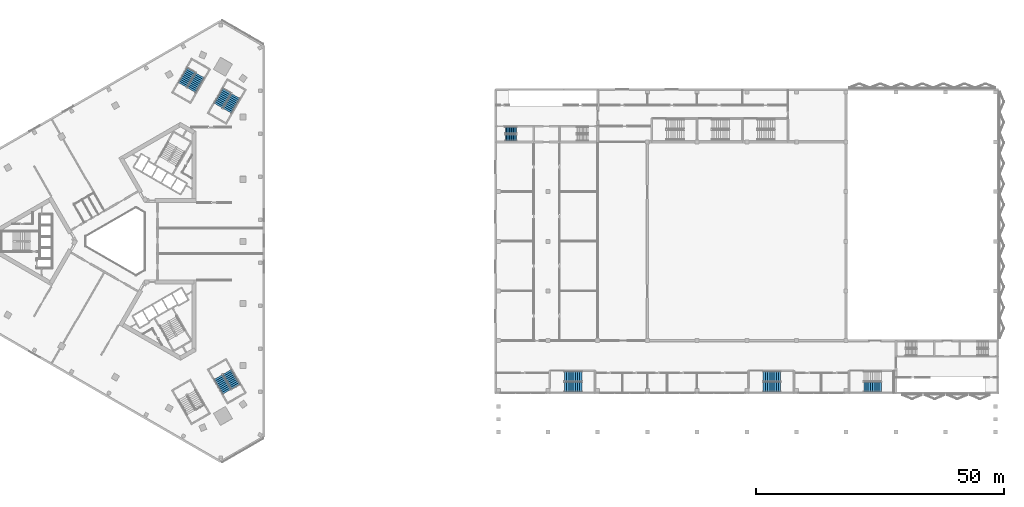
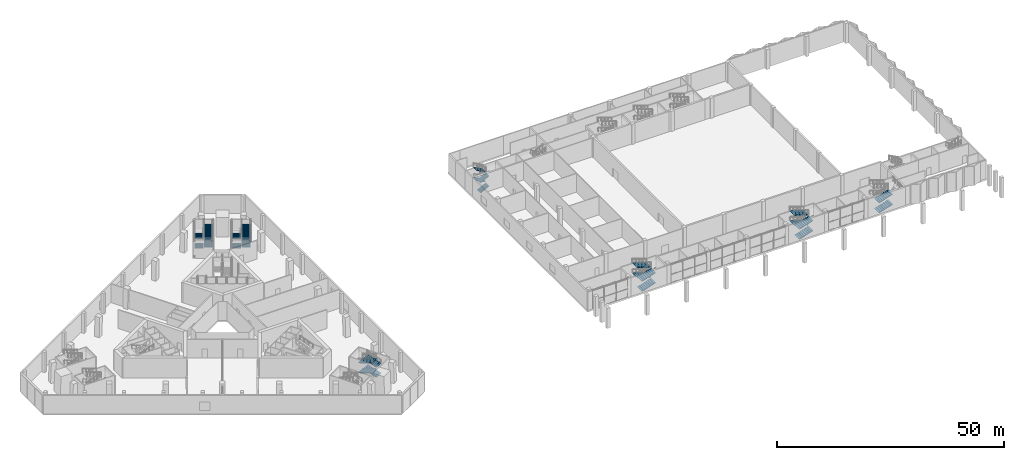
# One storey, part 18 of 35: 26 stair flights, 7 elements without a shape of their own.
"""IFC4 building model written with IfcOpenShell, lengths in metres."""

import ifcopenshell
import ifcopenshell.guid

model = None  # the IFC model being written
_history = None  # IfcOwnerHistory: only IFC2X3 demands one
_inside = {}  # id of a spatial element -> (the spatial element, [elements in it])
_under = {}  # id of a project, library or spatial element -> (it, [spatial elements below it])
_declared = {}  # id of a project -> (the project, [libraries it declares])
_typed = {}  # id of a type object -> (the type object, [elements of that type])
_made_of = {}  # id of a material, layer set ... -> (it, [elements and type objects made of it])


def new_model(schema):
    """Start an empty IFC model of exactly this schema.

    Asked for "IFC4X3", IfcOpenShell would pick the latest addendum, in which some entities
    have other attributes; the version numbers below select the first issue.
    IFC2X3 requires an IfcOwnerHistory on every rooted entity: one is made here for all.
    """
    global model, _history
    if schema == "IFC4X3":
        model = ifcopenshell.file(schema_version=(4, 3, 0, 0))
    else:
        model = ifcopenshell.file(schema=schema)
    _inside.clear()
    _under.clear()
    _declared.clear()
    _typed.clear()
    _made_of.clear()
    _history = None
    if model.schema == "IFC2X3":
        org = make("IfcOrganization", Name="unknown")
        user = make(
            "IfcPersonAndOrganization",
            ThePerson=make("IfcPerson", FamilyName="unknown"),
            TheOrganization=org,
        )
        app = make(
            "IfcApplication",
            ApplicationDeveloper=org,
            Version="unknown",
            ApplicationFullName="unknown",
            ApplicationIdentifier="unknown",
        )
        _history = make(
            "IfcOwnerHistory",
            OwningUser=user,
            OwningApplication=app,
            ChangeAction="ADDED",
            CreationDate=0,
        )
    return model


def make(cls, **values):
    """One entity of the class cls with the attributes given. An attribute that is None is left unset."""
    return model.create_entity(
        cls, **{name: value for name, value in values.items() if value is not None}
    )


def rooted(cls, **values):
    """An entity with a GlobalId (a new one), such as an element, a storey or a relation."""
    return make(cls, GlobalId=ifcopenshell.guid.new(), OwnerHistory=_history, **values)


def si_unit(unit_type, name, prefix=None):
    """IfcSIUnit, for example si_unit("LENGTHUNIT", "METRE", prefix="MILLI")."""
    return make("IfcSIUnit", UnitType=unit_type, Prefix=prefix, Name=name)


def assignment(units):
    """IfcUnitAssignment: the units of a project."""
    return None if units is None else make("IfcUnitAssignment", Units=units)


def point(xyz):
    """IfcCartesianPoint."""
    return None if xyz is None else make("IfcCartesianPoint", Coordinates=xyz)


def direction(xyz):
    """IfcDirection."""
    return None if xyz is None else make("IfcDirection", DirectionRatios=xyz)


def frame(location, z_axis=None, x_axis=None):
    """IfcAxis2Placement3D, a coordinate frame: its origin and axes. An axis left out is left unset."""
    return make(
        "IfcAxis2Placement3D",
        Location=point(location),
        Axis=direction(z_axis),
        RefDirection=direction(x_axis),
    )


def origin():
    """The frame at (0, 0, 0) with its axes left unset."""
    return frame((0.0, 0.0, 0.0))


def place(relative_to, where):
    """IfcLocalPlacement: puts the frame where relative to a parent placement (None: the world)."""
    return make(
        "IfcLocalPlacement", PlacementRelTo=relative_to, RelativePlacement=where
    )


def context(
    kind, dimensions, precision=None, world=None, true_north=None, identifier=None
):
    """IfcGeometricRepresentationContext, for example the 3D "Model" context."""
    return make(
        "IfcGeometricRepresentationContext",
        ContextIdentifier=identifier,
        ContextType=kind,
        CoordinateSpaceDimension=dimensions,
        Precision=precision,
        WorldCoordinateSystem=world,
        TrueNorth=true_north,
    )


def subcontext(parent, identifier, kind, view, scale=None):
    """IfcGeometricRepresentationSubContext, for example "Body" below "Model"."""
    return make(
        "IfcGeometricRepresentationSubContext",
        ContextIdentifier=identifier,
        ContextType=kind,
        ParentContext=parent,
        TargetScale=scale,
        TargetView=view,
    )


def project(units=None, contexts=None):
    """IfcProject with its units and contexts."""
    return rooted(
        "IfcProject",
        Name="project",
        RepresentationContexts=contexts,
        UnitsInContext=assignment(units),
    )


def spatial(cls, under=None, at=None, **own):
    """A site, building, storey or space (cls), placed at a placement, below another one or the project."""
    s = rooted(cls, ObjectPlacement=at, **own)
    if under is not None:
        _under.setdefault(under.id(), (under, []))[1].append(s)
    return s


def polyline(points):
    """IfcPolyline through the points."""
    return make("IfcPolyline", Points=[point(p) for p in points])


def outline(outer, holes=None, kind="AREA"):
    """IfcArbitraryClosedProfileDef: a profile drawn as a closed curve; with holes, ...WithVoids."""
    if holes is None:
        return make("IfcArbitraryClosedProfileDef", ProfileType=kind, OuterCurve=outer)
    return make(
        "IfcArbitraryProfileDefWithVoids",
        ProfileType=kind,
        OuterCurve=outer,
        InnerCurves=holes,
    )


def extrude(swept, where, along, depth):
    """IfcExtrudedAreaSolid: the profile swept, set in the frame where, extruded along a direction by depth."""
    return make(
        "IfcExtrudedAreaSolid",
        SweptArea=swept,
        Position=where,
        ExtrudedDirection=direction(along),
        Depth=depth,
    )


def shape(context_of_items, identifier, shape_type, items):
    """IfcShapeRepresentation: the items that make up one representation, for example the "Body"."""
    return make(
        "IfcShapeRepresentation",
        ContextOfItems=context_of_items,
        RepresentationIdentifier=identifier,
        RepresentationType=shape_type,
        Items=items,
    )


def material(Name=None, Category=None):
    """IfcMaterial."""
    return make("IfcMaterial", Name=Name, Category=Category)


def made_of(thing, what):
    """Note that an element or type object is made of a material, layer set ...; save() writes the relation."""
    if what is not None:
        _made_of.setdefault(what.id(), (what, []))[1].append(thing)
    return thing


def type_object(cls, material=None, **own):
    """A type object (cls), such as IfcWallType, which elements share."""
    return made_of(rooted(cls, **own), material)


def element(
    cls,
    number,
    at=None,
    inside=None,
    cuts=None,
    type_object=None,
    material=None,
    context=None,
    identifier="Body",
    shape_type=None,
    held_by="IfcProductDefinitionShape",
    body=None,
    shapes=None,
    **own,
):
    """One element of the class cls, such as IfcWall. Its Tag is "e" and its number.

    at: its placement. inside: the storey or other place that contains it. cuts: it is an
    opening in that element (IfcRelVoidsElement). A single representation is given by context,
    identifier, shape_type and body (its items); several are given by shapes. held_by: the class
    of the entity that holds the representations. save() writes the other relations.
    """
    e = rooted(cls, Tag="e%d" % number, ObjectPlacement=at, **own)
    if body is not None:
        shapes = [shape(context, identifier, shape_type, body)]
    if shapes is not None:
        e.Representation = make(held_by, Representations=shapes)
    if inside is not None:
        _inside.setdefault(inside.id(), (inside, []))[1].append(e)
    if cuts is not None:
        rooted(
            "IfcRelVoidsElement", RelatingBuildingElement=cuts, RelatedOpeningElement=e
        )
    if type_object is not None:
        _typed.setdefault(type_object.id(), (type_object, []))[1].append(e)
    return made_of(e, material)


def aggregate(whole, parts):
    """IfcRelAggregates: a whole, such as a stair, and the parts it consists of."""
    return rooted("IfcRelAggregates", RelatingObject=whole, RelatedObjects=parts)


def save(model, path):
    """Write the relations noted so far, then the file.

    IfcRelAggregates (storeys below a building ...), IfcRelContainedInSpatialStructure (elements
    in a storey), IfcRelDefinesByType, IfcRelAssociatesMaterial and IfcRelDeclares: one each for
    every whole, place, type object, material and project.
    """
    for whole, parts in _under.values():
        aggregate(whole, parts)
    for where, things in _inside.values():
        rooted(
            "IfcRelContainedInSpatialStructure",
            RelatedElements=things,
            RelatingStructure=where,
        )
    for kind, things in _typed.values():
        rooted("IfcRelDefinesByType", RelatedObjects=things, RelatingType=kind)
    for what, things in _made_of.values():
        rooted("IfcRelAssociatesMaterial", RelatedObjects=things, RelatingMaterial=what)
    for by, libraries in _declared.values():
        rooted("IfcRelDeclares", RelatingContext=by, RelatedDefinitions=libraries)
    model.write(path)


model = new_model("IFC4")

# Units and contexts
model_context = context("Model", 3, precision=1e-05, world=origin(), true_north=direction((0.0, 1.0)))
body_context = subcontext(model_context, "Body", "Model", "MODEL_VIEW")
ifc_project = project(units=[si_unit("LENGTHUNIT", "METRE"), si_unit("AREAUNIT", "SQUARE_METRE"), si_unit("VOLUMEUNIT", "CUBIC_METRE"), si_unit("PLANEANGLEUNIT", "RADIAN"), si_unit("MASSUNIT", "GRAM", prefix="KILO")], contexts=[model_context])

# Site, building, storey
site_placement = place(None, origin())
site = spatial("IfcSite", under=ifc_project, at=site_placement, CompositionType="ELEMENT")
building_placement = place(site_placement, origin())
building = spatial("IfcBuilding", under=site, at=building_placement, Name="Jabali Bay Hotel Tower and Convention Centre", CompositionType="ELEMENT")
storey_placement = place(building_placement, frame((0.0, 0.0, 15.0)))
storey = spatial("IfcBuildingStorey", under=building, at=storey_placement, Name="L02", CompositionType="ELEMENT", Elevation=15.0)

# Stair, stair flights
ifc_material = material(Name="Concrete C40", Category="concrete")
stair_type_1 = type_object("IfcStairType", Name="CC Dogleg Stair 1350", PredefinedType="HALF_TURN_STAIR", material=ifc_material)
stair_1_placement = place(storey_placement, origin())
stair_1 = element("IfcStair", 1, at=stair_1_placement, inside=storey, type_object=stair_type_1, Name="L02 West stair A", PredefinedType="HALF_TURN_STAIR")
stair_flight_type_1 = type_object("IfcStairFlightType", Name="CC Stair Flight 1350", PredefinedType="STRAIGHT", material=ifc_material)
stair_flight_1_placement = place(storey_placement, frame((152.10009765625, 100.85009765625, 0.0), z_axis=(0.0, 0.0, 1.0), x_axis=(1.0, 0.0, 0.0)))
stair_flight_1 = element("IfcStairFlight", 2, at=stair_flight_1_placement, type_object=stair_flight_type_1, Name="CC-STWA flight 1", NumberOfRisers=9, NumberOfTreads=8, PredefinedType="STRAIGHT", RiserHeight=0.15, TreadLength=0.28, context=body_context, shape_type="SweptSolid", body=[
    extrude(outline(polyline([(0.0, 0.0), (0.0, 0.14990234375), (0.280029296875, 0.14990234375), (0.280029296875, 0.300048828125), (0.56005859375, 0.300048828125), (0.56005859375, 0.449951171875), (0.840087890625, 0.449951171875), (0.840087890625, 0.60009765625), (1.1201171875, 0.60009765625), (1.1201171875, 0.75), (1.39990234375, 0.75), (1.39990234375, 0.89990234375), (1.679931640625, 0.89990234375), (1.679931640625, 1.050048828125), (1.9599609375, 1.050048828125), (1.9599609375, 1.199951171875), (2.239990234375, 1.199951171875), (2.239990234375, 1.35009765625), (2.239990234375, 1.030029296875), (0.3173828125, 0.0), (0.0, 0.0)])), frame((0.0, 0.675048828125, 0.0), z_axis=(0.0, -1.0, 0.0), x_axis=(1.0, 0.0, 0.0)), (0.0, 0.0, 1.0), 1.35009765625),
])
stair_flight_2_placement = place(storey_placement, frame((154.340087890625, 102.35009765625, 1.35009765625), z_axis=(0.0, 0.0, 1.0), x_axis=(-1.0, 0.0, 0.0)))
stair_flight_2 = element("IfcStairFlight", 3, at=stair_flight_2_placement, type_object=stair_flight_type_1, Name="CC-STWA flight 2", NumberOfRisers=9, NumberOfTreads=8, PredefinedType="STRAIGHT", RiserHeight=0.15, TreadLength=0.28, context=body_context, shape_type="SweptSolid", body=[
    extrude(outline(polyline([(0.0, 0.0), (0.0, 0.14990234375), (0.280029296875, 0.14990234375), (0.280029296875, 0.300048828125), (0.56005859375, 0.300048828125), (0.56005859375, 0.449951171875), (0.840087890625, 0.449951171875), (0.840087890625, 0.60009765625), (1.1201171875, 0.60009765625), (1.1201171875, 0.75), (1.39990234375, 0.75), (1.39990234375, 0.89990234375), (1.679931640625, 0.89990234375), (1.679931640625, 1.050048828125), (1.9599609375, 1.050048828125), (1.9599609375, 1.199951171875), (2.239990234375, 1.199951171875), (2.239990234375, 1.35009765625), (2.239990234375, 1.030029296875), (0.3173828125, 0.0), (0.0, 0.0)])), frame((0.0, 0.675048828125, 0.0), z_axis=(0.0, -1.0, 0.0), x_axis=(1.0, 0.0, 0.0)), (0.0, 0.0, 1.0), 1.35009765625),
])
stair_flight_3_placement = place(storey_placement, frame((152.10009765625, 100.85009765625, 2.699951171875), z_axis=(0.0, 0.0, 1.0), x_axis=(1.0, 0.0, 0.0)))
stair_flight_3 = element("IfcStairFlight", 4, at=stair_flight_3_placement, type_object=stair_flight_type_1, Name="CC-STWA flight 3", NumberOfRisers=9, NumberOfTreads=8, PredefinedType="STRAIGHT", RiserHeight=0.15, TreadLength=0.28, context=body_context, shape_type="SweptSolid", body=[
    extrude(outline(polyline([(0.0, 0.0), (0.0, 0.14990234375), (0.280029296875, 0.14990234375), (0.280029296875, 0.300048828125), (0.56005859375, 0.300048828125), (0.56005859375, 0.449951171875), (0.840087890625, 0.449951171875), (0.840087890625, 0.60009765625), (1.1201171875, 0.60009765625), (1.1201171875, 0.75), (1.39990234375, 0.75), (1.39990234375, 0.89990234375), (1.679931640625, 0.89990234375), (1.679931640625, 1.050048828125), (1.9599609375, 1.050048828125), (1.9599609375, 1.199951171875), (2.239990234375, 1.199951171875), (2.239990234375, 1.35009765625), (2.239990234375, 1.030029296875), (0.3173828125, 0.0), (0.0, 0.0)])), frame((0.0, 0.675048828125, 0.0), z_axis=(0.0, -1.0, 0.0), x_axis=(1.0, 0.0, 0.0)), (0.0, 0.0, 1.0), 1.35009765625),
])
stair_flight_4_placement = place(storey_placement, frame((154.340087890625, 102.35009765625, 4.050048828125), z_axis=(0.0, 0.0, 1.0), x_axis=(-1.0, 0.0, 0.0)))
stair_flight_4 = element("IfcStairFlight", 5, at=stair_flight_4_placement, type_object=stair_flight_type_1, Name="CC-STWA flight 4", NumberOfRisers=9, NumberOfTreads=8, PredefinedType="STRAIGHT", RiserHeight=0.15, TreadLength=0.28, context=body_context, shape_type="SweptSolid", body=[
    extrude(outline(polyline([(0.0, 0.0), (0.0, 0.14990234375), (0.280029296875, 0.14990234375), (0.280029296875, 0.300048828125), (0.56005859375, 0.300048828125), (0.56005859375, 0.449951171875), (0.840087890625, 0.449951171875), (0.840087890625, 0.60009765625), (1.1201171875, 0.60009765625), (1.1201171875, 0.75), (1.39990234375, 0.75), (1.39990234375, 0.89990234375), (1.679931640625, 0.89990234375), (1.679931640625, 1.050048828125), (1.9599609375, 1.050048828125), (1.9599609375, 1.199951171875), (2.239990234375, 1.199951171875), (2.239990234375, 1.35009765625), (2.239990234375, 1.030029296875), (0.3173828125, 0.0), (0.0, 0.0)])), frame((0.0, 0.675048828125, 0.0), z_axis=(0.0, -1.0, 0.0), x_axis=(1.0, 0.0, 0.0)), (0.0, 0.0, 1.0), 1.35009765625),
])
aggregate(stair_1, [stair_flight_1, stair_flight_2, stair_flight_3, stair_flight_4])

stair_2_placement = place(storey_placement, origin())
stair_2 = element("IfcStair", 6, at=stair_2_placement, inside=storey, type_object=stair_type_1, Name="L02 South Exit Stair 1", PredefinedType="HALF_TURN_STAIR")
stair_flight_5_placement = place(storey_placement, frame((164.0, 50.699951171875, 0.0), z_axis=(0.0, 0.0, 1.0), x_axis=(1.0, 0.0, 0.0)))
stair_flight_5 = element("IfcStairFlight", 7, at=stair_flight_5_placement, type_object=stair_flight_type_1, Name="CC-STS1 flight 1", NumberOfRisers=9, NumberOfTreads=8, PredefinedType="STRAIGHT", RiserHeight=0.15, TreadLength=0.44, context=body_context, shape_type="SweptSolid", body=[
    extrude(outline(polyline([(0.0, 0.0), (0.0, 0.14990234375), (0.43994140625, 0.14990234375), (0.43994140625, 0.300048828125), (0.8798828125, 0.300048828125), (0.8798828125, 0.449951171875), (1.320068359375, 0.449951171875), (1.320068359375, 0.60009765625), (1.760009765625, 0.60009765625), (1.760009765625, 0.75), (2.199951171875, 0.75), (2.199951171875, 0.89990234375), (2.639892578125, 0.89990234375), (2.639892578125, 1.050048828125), (3.080078125, 1.050048828125), (3.080078125, 1.199951171875), (3.52001953125, 1.199951171875), (3.52001953125, 1.35009765625), (3.52001953125, 1.041748046875), (0.464599609375, 0.0), (0.0, 0.0)])), frame((0.0, 1.0, 0.0), z_axis=(0.0, -1.0, 0.0), x_axis=(1.0, 0.0, 0.0)), (0.0, 0.0, 1.0), 2.0),
])
stair_flight_6_placement = place(storey_placement, frame((167.52001953125, 52.800048828125, 1.35009765625), z_axis=(0.0, 0.0, 1.0), x_axis=(-1.0, 0.0, 0.0)))
stair_flight_6 = element("IfcStairFlight", 8, at=stair_flight_6_placement, type_object=stair_flight_type_1, Name="CC-STS1 flight 2", NumberOfRisers=9, NumberOfTreads=8, PredefinedType="STRAIGHT", RiserHeight=0.15, TreadLength=0.44, context=body_context, shape_type="SweptSolid", body=[
    extrude(outline(polyline([(0.0, 0.0), (0.0, 0.14990234375), (0.43994140625, 0.14990234375), (0.43994140625, 0.300048828125), (0.8798828125, 0.300048828125), (0.8798828125, 0.449951171875), (1.320068359375, 0.449951171875), (1.320068359375, 0.60009765625), (1.760009765625, 0.60009765625), (1.760009765625, 0.75), (2.199951171875, 0.75), (2.199951171875, 0.89990234375), (2.639892578125, 0.89990234375), (2.639892578125, 1.050048828125), (3.080078125, 1.050048828125), (3.080078125, 1.199951171875), (3.52001953125, 1.199951171875), (3.52001953125, 1.35009765625), (3.52001953125, 1.041748046875), (0.464599609375, 0.0), (0.0, 0.0)])), frame((0.0, 1.0, 0.0), z_axis=(0.0, -1.0, 0.0), x_axis=(1.0, 0.0, 0.0)), (0.0, 0.0, 1.0), 2.0),
])
stair_flight_7_placement = place(storey_placement, frame((164.0, 50.699951171875, 2.699951171875), z_axis=(0.0, 0.0, 1.0), x_axis=(1.0, 0.0, 0.0)))
stair_flight_7 = element("IfcStairFlight", 9, at=stair_flight_7_placement, type_object=stair_flight_type_1, Name="CC-STS1 flight 3", NumberOfRisers=9, NumberOfTreads=8, PredefinedType="STRAIGHT", RiserHeight=0.15, TreadLength=0.44, context=body_context, shape_type="SweptSolid", body=[
    extrude(outline(polyline([(0.0, 0.0), (0.0, 0.14990234375), (0.43994140625, 0.14990234375), (0.43994140625, 0.300048828125), (0.8798828125, 0.300048828125), (0.8798828125, 0.449951171875), (1.320068359375, 0.449951171875), (1.320068359375, 0.60009765625), (1.760009765625, 0.60009765625), (1.760009765625, 0.75), (2.199951171875, 0.75), (2.199951171875, 0.89990234375), (2.639892578125, 0.89990234375), (2.639892578125, 1.050048828125), (3.080078125, 1.050048828125), (3.080078125, 1.199951171875), (3.52001953125, 1.199951171875), (3.52001953125, 1.35009765625), (3.52001953125, 1.041748046875), (0.464599609375, 0.0), (0.0, 0.0)])), frame((0.0, 1.0, 0.0), z_axis=(0.0, -1.0, 0.0), x_axis=(1.0, 0.0, 0.0)), (0.0, 0.0, 1.0), 2.0),
])
stair_flight_8_placement = place(storey_placement, frame((167.52001953125, 52.800048828125, 4.050048828125), z_axis=(0.0, 0.0, 1.0), x_axis=(-1.0, 0.0, 0.0)))
stair_flight_8 = element("IfcStairFlight", 10, at=stair_flight_8_placement, type_object=stair_flight_type_1, Name="CC-STS1 flight 4", NumberOfRisers=9, NumberOfTreads=8, PredefinedType="STRAIGHT", RiserHeight=0.15, TreadLength=0.44, context=body_context, shape_type="SweptSolid", body=[
    extrude(outline(polyline([(0.0, 0.0), (0.0, 0.14990234375), (0.43994140625, 0.14990234375), (0.43994140625, 0.300048828125), (0.8798828125, 0.300048828125), (0.8798828125, 0.449951171875), (1.320068359375, 0.449951171875), (1.320068359375, 0.60009765625), (1.760009765625, 0.60009765625), (1.760009765625, 0.75), (2.199951171875, 0.75), (2.199951171875, 0.89990234375), (2.639892578125, 0.89990234375), (2.639892578125, 1.050048828125), (3.080078125, 1.050048828125), (3.080078125, 1.199951171875), (3.52001953125, 1.199951171875), (3.52001953125, 1.35009765625), (3.52001953125, 1.041748046875), (0.464599609375, 0.0), (0.0, 0.0)])), frame((0.0, 1.0, 0.0), z_axis=(0.0, -1.0, 0.0), x_axis=(1.0, 0.0, 0.0)), (0.0, 0.0, 1.0), 2.0),
])
aggregate(stair_2, [stair_flight_5, stair_flight_6, stair_flight_7, stair_flight_8])

stair_3_placement = place(storey_placement, origin())
stair_3 = element("IfcStair", 11, at=stair_3_placement, inside=storey, type_object=stair_type_1, Name="L02 South Exit Stair 2", PredefinedType="HALF_TURN_STAIR")
stair_flight_9_placement = place(storey_placement, frame((204.0, 50.699951171875, 0.0), z_axis=(0.0, 0.0, 1.0), x_axis=(1.0, 0.0, 0.0)))
stair_flight_9 = element("IfcStairFlight", 12, at=stair_flight_9_placement, type_object=stair_flight_type_1, Name="CC-STS2 flight 1", NumberOfRisers=9, NumberOfTreads=8, PredefinedType="STRAIGHT", RiserHeight=0.15, TreadLength=0.44, context=body_context, shape_type="SweptSolid", body=[
    extrude(outline(polyline([(0.0, 0.0), (0.0, 0.14990234375), (0.43994140625, 0.14990234375), (0.43994140625, 0.300048828125), (0.8798828125, 0.300048828125), (0.8798828125, 0.449951171875), (1.320068359375, 0.449951171875), (1.320068359375, 0.60009765625), (1.760009765625, 0.60009765625), (1.760009765625, 0.75), (2.199951171875, 0.75), (2.199951171875, 0.89990234375), (2.639892578125, 0.89990234375), (2.639892578125, 1.050048828125), (3.080078125, 1.050048828125), (3.080078125, 1.199951171875), (3.52001953125, 1.199951171875), (3.52001953125, 1.35009765625), (3.52001953125, 1.041748046875), (0.464599609375, 0.0), (0.0, 0.0)])), frame((0.0, 1.0, 0.0), z_axis=(0.0, -1.0, 0.0), x_axis=(1.0, 0.0, 0.0)), (0.0, 0.0, 1.0), 2.0),
])
stair_flight_10_placement = place(storey_placement, frame((207.52001953125, 52.800048828125, 1.35009765625), z_axis=(0.0, 0.0, 1.0), x_axis=(-1.0, 0.0, 0.0)))
stair_flight_10 = element("IfcStairFlight", 13, at=stair_flight_10_placement, type_object=stair_flight_type_1, Name="CC-STS2 flight 2", NumberOfRisers=9, NumberOfTreads=8, PredefinedType="STRAIGHT", RiserHeight=0.15, TreadLength=0.44, context=body_context, shape_type="SweptSolid", body=[
    extrude(outline(polyline([(0.0, 0.0), (0.0, 0.14990234375), (0.43994140625, 0.14990234375), (0.43994140625, 0.300048828125), (0.8798828125, 0.300048828125), (0.8798828125, 0.449951171875), (1.320068359375, 0.449951171875), (1.320068359375, 0.60009765625), (1.760009765625, 0.60009765625), (1.760009765625, 0.75), (2.199951171875, 0.75), (2.199951171875, 0.89990234375), (2.639892578125, 0.89990234375), (2.639892578125, 1.050048828125), (3.080078125, 1.050048828125), (3.080078125, 1.199951171875), (3.52001953125, 1.199951171875), (3.52001953125, 1.35009765625), (3.52001953125, 1.041748046875), (0.464599609375, 0.0), (0.0, 0.0)])), frame((0.0, 1.0, 0.0), z_axis=(0.0, -1.0, 0.0), x_axis=(1.0, 0.0, 0.0)), (0.0, 0.0, 1.0), 2.0),
])
stair_flight_11_placement = place(storey_placement, frame((204.0, 50.699951171875, 2.699951171875), z_axis=(0.0, 0.0, 1.0), x_axis=(1.0, 0.0, 0.0)))
stair_flight_11 = element("IfcStairFlight", 14, at=stair_flight_11_placement, type_object=stair_flight_type_1, Name="CC-STS2 flight 3", NumberOfRisers=9, NumberOfTreads=8, PredefinedType="STRAIGHT", RiserHeight=0.15, TreadLength=0.44, context=body_context, shape_type="SweptSolid", body=[
    extrude(outline(polyline([(0.0, 0.0), (0.0, 0.14990234375), (0.43994140625, 0.14990234375), (0.43994140625, 0.300048828125), (0.8798828125, 0.300048828125), (0.8798828125, 0.449951171875), (1.320068359375, 0.449951171875), (1.320068359375, 0.60009765625), (1.760009765625, 0.60009765625), (1.760009765625, 0.75), (2.199951171875, 0.75), (2.199951171875, 0.89990234375), (2.639892578125, 0.89990234375), (2.639892578125, 1.050048828125), (3.080078125, 1.050048828125), (3.080078125, 1.199951171875), (3.52001953125, 1.199951171875), (3.52001953125, 1.35009765625), (3.52001953125, 1.041748046875), (0.464599609375, 0.0), (0.0, 0.0)])), frame((0.0, 1.0, 0.0), z_axis=(0.0, -1.0, 0.0), x_axis=(1.0, 0.0, 0.0)), (0.0, 0.0, 1.0), 2.0),
])
stair_flight_12_placement = place(storey_placement, frame((207.52001953125, 52.800048828125, 4.050048828125), z_axis=(0.0, 0.0, 1.0), x_axis=(-1.0, 0.0, 0.0)))
stair_flight_12 = element("IfcStairFlight", 15, at=stair_flight_12_placement, type_object=stair_flight_type_1, Name="CC-STS2 flight 4", NumberOfRisers=9, NumberOfTreads=8, PredefinedType="STRAIGHT", RiserHeight=0.15, TreadLength=0.44, context=body_context, shape_type="SweptSolid", body=[
    extrude(outline(polyline([(0.0, 0.0), (0.0, 0.14990234375), (0.43994140625, 0.14990234375), (0.43994140625, 0.300048828125), (0.8798828125, 0.300048828125), (0.8798828125, 0.449951171875), (1.320068359375, 0.449951171875), (1.320068359375, 0.60009765625), (1.760009765625, 0.60009765625), (1.760009765625, 0.75), (2.199951171875, 0.75), (2.199951171875, 0.89990234375), (2.639892578125, 0.89990234375), (2.639892578125, 1.050048828125), (3.080078125, 1.050048828125), (3.080078125, 1.199951171875), (3.52001953125, 1.199951171875), (3.52001953125, 1.35009765625), (3.52001953125, 1.041748046875), (0.464599609375, 0.0), (0.0, 0.0)])), frame((0.0, 1.0, 0.0), z_axis=(0.0, -1.0, 0.0), x_axis=(1.0, 0.0, 0.0)), (0.0, 0.0, 1.0), 2.0),
])
aggregate(stair_3, [stair_flight_9, stair_flight_10, stair_flight_11, stair_flight_12])

stair_4_placement = place(storey_placement, origin())
stair_4 = element("IfcStair", 16, at=stair_4_placement, inside=storey, type_object=stair_type_1, Name="L02 South Exit Stair 3", PredefinedType="HALF_TURN_STAIR")
stair_flight_13_placement = place(storey_placement, frame((224.25, 50.699951171875, 0.0), z_axis=(0.0, 0.0, 1.0), x_axis=(1.0, 0.0, 0.0)))
stair_flight_13 = element("IfcStairFlight", 17, at=stair_flight_13_placement, type_object=stair_flight_type_1, Name="CC-STS3 flight 1", NumberOfRisers=9, NumberOfTreads=8, PredefinedType="STRAIGHT", RiserHeight=0.15, TreadLength=0.44, context=body_context, shape_type="SweptSolid", body=[
    extrude(outline(polyline([(0.0, 0.0), (0.0, 0.14990234375), (0.43994140625, 0.14990234375), (0.43994140625, 0.300048828125), (0.8798828125, 0.300048828125), (0.8798828125, 0.449951171875), (1.320068359375, 0.449951171875), (1.320068359375, 0.60009765625), (1.760009765625, 0.60009765625), (1.760009765625, 0.75), (2.199951171875, 0.75), (2.199951171875, 0.89990234375), (2.639892578125, 0.89990234375), (2.639892578125, 1.050048828125), (3.080078125, 1.050048828125), (3.080078125, 1.199951171875), (3.52001953125, 1.199951171875), (3.52001953125, 1.35009765625), (3.52001953125, 1.041748046875), (0.464599609375, 0.0), (0.0, 0.0)])), frame((0.0, 1.0, 0.0), z_axis=(0.0, -1.0, 0.0), x_axis=(1.0, 0.0, 0.0)), (0.0, 0.0, 1.0), 2.0),
])
stair_flight_14_placement = place(storey_placement, frame((224.25, 50.699951171875, 2.699951171875), z_axis=(0.0, 0.0, 1.0), x_axis=(1.0, 0.0, 0.0)))
stair_flight_14 = element("IfcStairFlight", 18, at=stair_flight_14_placement, type_object=stair_flight_type_1, Name="CC-STS3 flight 3", NumberOfRisers=9, NumberOfTreads=8, PredefinedType="STRAIGHT", RiserHeight=0.15, TreadLength=0.44, context=body_context, shape_type="SweptSolid", body=[
    extrude(outline(polyline([(0.0, 0.0), (0.0, 0.14990234375), (0.43994140625, 0.14990234375), (0.43994140625, 0.300048828125), (0.8798828125, 0.300048828125), (0.8798828125, 0.449951171875), (1.320068359375, 0.449951171875), (1.320068359375, 0.60009765625), (1.760009765625, 0.60009765625), (1.760009765625, 0.75), (2.199951171875, 0.75), (2.199951171875, 0.89990234375), (2.639892578125, 0.89990234375), (2.639892578125, 1.050048828125), (3.080078125, 1.050048828125), (3.080078125, 1.199951171875), (3.52001953125, 1.199951171875), (3.52001953125, 1.35009765625), (3.52001953125, 1.041748046875), (0.464599609375, 0.0), (0.0, 0.0)])), frame((0.0, 1.0, 0.0), z_axis=(0.0, -1.0, 0.0), x_axis=(1.0, 0.0, 0.0)), (0.0, 0.0, 1.0), 2.0),
])
aggregate(stair_4, [stair_flight_13, stair_flight_14])

stair_type_2 = type_object("IfcStairType", Name="Podium stair 1950", PredefinedType="HALF_TURN_STAIR", material=ifc_material)
stair_5_placement = place(storey_placement, origin())
stair_5 = element("IfcStair", 19, at=stair_5_placement, inside=storey, type_object=stair_type_2, Name="L02 Podium Exit Stair 3", PredefinedType="HALF_TURN_STAIR")
stair_flight_type_2 = type_object("IfcStairFlightType", Name="Stair flight concrete 150", PredefinedType="STRAIGHT", material=ifc_material)
stair_flight_15_placement = place(storey_placement, frame((88.893310546875, 114.413818359375, 0.0), z_axis=(0.0, 0.0, 1.0), x_axis=(-0.5, -0.866025403784, 0.0)))
stair_flight_15 = element("IfcStairFlight", 20, at=stair_flight_15_placement, type_object=stair_flight_type_2, Name="PS3 flight 1", NumberOfRisers=10, NumberOfTreads=9, PredefinedType="STRAIGHT", RiserHeight=0.135, TreadLength=0.38, context=body_context, shape_type="SweptSolid", body=[
    extrude(outline(polyline([(0.0, 0.0), (0.0, 0.135009765625), (0.3798828125, 0.135009765625), (0.3798828125, 0.27001953125), (0.760009765625, 0.27001953125), (0.760009765625, 0.405029296875), (1.139892578125, 0.405029296875), (1.139892578125, 0.5400390625), (1.52001953125, 0.5400390625), (1.52001953125, 0.675048828125), (1.89990234375, 0.675048828125), (1.89990234375, 0.81005859375), (2.280029296875, 0.81005859375), (2.280029296875, 0.945068359375), (2.659912109375, 0.945068359375), (2.659912109375, 1.080078125), (3.0400390625, 1.080078125), (3.0400390625, 1.215087890625), (3.419921875, 1.215087890625), (3.419921875, 1.35009765625), (3.419921875, 1.055908203125), (0.44775390625, 0.0), (0.0, 0.0)])), frame((0.0, 0.97509765625, 0.0), z_axis=(0.0, -1.0, 0.0), x_axis=(1.0, 0.0, 0.0)), (0.0, 0.0, 1.0), 1.949951171875),
])
stair_flight_16_placement = place(storey_placement, frame((88.958740234375, 110.42724609375, 1.35009765625), z_axis=(0.0, 0.0, 1.0), x_axis=(0.5, 0.866025403784, 0.0)))
stair_flight_16 = element("IfcStairFlight", 21, at=stair_flight_16_placement, type_object=stair_flight_type_2, Name="PS3 flight 2", NumberOfRisers=10, NumberOfTreads=9, PredefinedType="STRAIGHT", RiserHeight=0.135, TreadLength=0.38, context=body_context, shape_type="SweptSolid", body=[
    extrude(outline(polyline([(0.0, 0.0), (0.0, 0.135009765625), (0.3798828125, 0.135009765625), (0.3798828125, 0.27001953125), (0.760009765625, 0.27001953125), (0.760009765625, 0.405029296875), (1.139892578125, 0.405029296875), (1.139892578125, 0.5400390625), (1.52001953125, 0.5400390625), (1.52001953125, 0.675048828125), (1.89990234375, 0.675048828125), (1.89990234375, 0.81005859375), (2.280029296875, 0.81005859375), (2.280029296875, 0.945068359375), (2.659912109375, 0.945068359375), (2.659912109375, 1.080078125), (3.0400390625, 1.080078125), (3.0400390625, 1.215087890625), (3.419921875, 1.215087890625), (3.419921875, 1.35009765625), (3.419921875, 1.055908203125), (0.44775390625, 0.0), (0.0, 0.0)])), frame((0.0, 0.97509765625, 0.0), z_axis=(0.0, -1.0, 0.0), x_axis=(1.0, 0.0, 0.0)), (0.0, 0.0, 1.0), 1.949951171875),
])
stair_flight_17_placement = place(storey_placement, frame((88.893310546875, 114.413818359375, 2.699951171875), z_axis=(0.0, 0.0, 1.0), x_axis=(-0.5, -0.866025403784, 0.0)))
stair_flight_17 = element("IfcStairFlight", 22, at=stair_flight_17_placement, type_object=stair_flight_type_2, Name="PS3 flight 3", NumberOfRisers=10, NumberOfTreads=9, PredefinedType="STRAIGHT", RiserHeight=0.135, TreadLength=0.38, context=body_context, shape_type="SweptSolid", body=[
    extrude(outline(polyline([(0.0, 0.0), (0.0, 0.135009765625), (0.3798828125, 0.135009765625), (0.3798828125, 0.27001953125), (0.760009765625, 0.27001953125), (0.760009765625, 0.405029296875), (1.139892578125, 0.405029296875), (1.139892578125, 0.5400390625), (1.52001953125, 0.5400390625), (1.52001953125, 0.675048828125), (1.89990234375, 0.675048828125), (1.89990234375, 0.81005859375), (2.280029296875, 0.81005859375), (2.280029296875, 0.945068359375), (2.659912109375, 0.945068359375), (2.659912109375, 1.080078125), (3.0400390625, 1.080078125), (3.0400390625, 1.215087890625), (3.419921875, 1.215087890625), (3.419921875, 1.35009765625), (3.419921875, 1.055908203125), (0.44775390625, 0.0), (0.0, 0.0)])), frame((0.0, 0.97509765625, 0.0), z_axis=(0.0, -1.0, 0.0), x_axis=(1.0, 0.0, 0.0)), (0.0, 0.0, 1.0), 1.949951171875),
])
stair_flight_18_placement = place(storey_placement, frame((88.958740234375, 110.42724609375, 4.050048828125), z_axis=(0.0, 0.0, 1.0), x_axis=(0.5, 0.866025403784, 0.0)))
stair_flight_18 = element("IfcStairFlight", 23, at=stair_flight_18_placement, type_object=stair_flight_type_2, Name="PS3 flight 4", NumberOfRisers=10, NumberOfTreads=9, PredefinedType="STRAIGHT", RiserHeight=0.135, TreadLength=0.38, context=body_context, shape_type="SweptSolid", body=[
    extrude(outline(polyline([(0.0, 0.0), (0.0, 0.135009765625), (0.3798828125, 0.135009765625), (0.3798828125, 0.27001953125), (0.760009765625, 0.27001953125), (0.760009765625, 0.405029296875), (1.139892578125, 0.405029296875), (1.139892578125, 0.5400390625), (1.52001953125, 0.5400390625), (1.52001953125, 0.675048828125), (1.89990234375, 0.675048828125), (1.89990234375, 0.81005859375), (2.280029296875, 0.81005859375), (2.280029296875, 0.945068359375), (2.659912109375, 0.945068359375), (2.659912109375, 1.080078125), (3.0400390625, 1.080078125), (3.0400390625, 1.215087890625), (3.419921875, 1.215087890625), (3.419921875, 1.35009765625), (3.419921875, 1.055908203125), (0.44775390625, 0.0), (0.0, 0.0)])), frame((0.0, 0.97509765625, 0.0), z_axis=(0.0, -1.0, 0.0), x_axis=(1.0, 0.0, 0.0)), (0.0, 0.0, 1.0), 1.949951171875),
])
aggregate(stair_5, [stair_flight_15, stair_flight_16, stair_flight_17, stair_flight_18])

stair_6_placement = place(storey_placement, origin())
stair_6 = element("IfcStair", 24, at=stair_6_placement, inside=storey, type_object=stair_type_2, Name="L02 Podium Exit Stair 4", PredefinedType="HALF_TURN_STAIR")
stair_flight_19_placement = place(storey_placement, frame((96.081298828125, 110.263916015625, 0.0), z_axis=(0.0, 0.0, 1.0), x_axis=(-0.5, -0.866025403784, 0.0)))
stair_flight_19 = element("IfcStairFlight", 25, at=stair_flight_19_placement, type_object=stair_flight_type_2, Name="PS4 flight 1", NumberOfRisers=10, NumberOfTreads=9, PredefinedType="STRAIGHT", RiserHeight=0.135, TreadLength=0.38, context=body_context, shape_type="SweptSolid", body=[
    extrude(outline(polyline([(0.0, 0.0), (0.0, 0.135009765625), (0.3798828125, 0.135009765625), (0.3798828125, 0.27001953125), (0.760009765625, 0.27001953125), (0.760009765625, 0.405029296875), (1.139892578125, 0.405029296875), (1.139892578125, 0.5400390625), (1.52001953125, 0.5400390625), (1.52001953125, 0.675048828125), (1.89990234375, 0.675048828125), (1.89990234375, 0.81005859375), (2.280029296875, 0.81005859375), (2.280029296875, 0.945068359375), (2.659912109375, 0.945068359375), (2.659912109375, 1.080078125), (3.0400390625, 1.080078125), (3.0400390625, 1.215087890625), (3.419921875, 1.215087890625), (3.419921875, 1.35009765625), (3.419921875, 1.055908203125), (0.44775390625, 0.0), (0.0, 0.0)])), frame((0.0, 0.97509765625, 0.0), z_axis=(0.0, -1.0, 0.0), x_axis=(1.0, 0.0, 0.0)), (0.0, 0.0, 1.0), 1.949951171875),
])
stair_flight_20_placement = place(storey_placement, frame((96.146728515625, 106.277099609375, 1.35009765625), z_axis=(0.0, 0.0, 1.0), x_axis=(0.5, 0.866025403784, 0.0)))
stair_flight_20 = element("IfcStairFlight", 26, at=stair_flight_20_placement, type_object=stair_flight_type_2, Name="PS4 flight 2", NumberOfRisers=10, NumberOfTreads=9, PredefinedType="STRAIGHT", RiserHeight=0.135, TreadLength=0.38, context=body_context, shape_type="SweptSolid", body=[
    extrude(outline(polyline([(0.0, 0.0), (0.0, 0.135009765625), (0.3798828125, 0.135009765625), (0.3798828125, 0.27001953125), (0.760009765625, 0.27001953125), (0.760009765625, 0.405029296875), (1.139892578125, 0.405029296875), (1.139892578125, 0.5400390625), (1.52001953125, 0.5400390625), (1.52001953125, 0.675048828125), (1.89990234375, 0.675048828125), (1.89990234375, 0.81005859375), (2.280029296875, 0.81005859375), (2.280029296875, 0.945068359375), (2.659912109375, 0.945068359375), (2.659912109375, 1.080078125), (3.0400390625, 1.080078125), (3.0400390625, 1.215087890625), (3.419921875, 1.215087890625), (3.419921875, 1.35009765625), (3.419921875, 1.055908203125), (0.44775390625, 0.0), (0.0, 0.0)])), frame((0.0, 0.97509765625, 0.0), z_axis=(0.0, -1.0, 0.0), x_axis=(1.0, 0.0, 0.0)), (0.0, 0.0, 1.0), 1.949951171875),
])
stair_flight_21_placement = place(storey_placement, frame((96.081298828125, 110.263916015625, 2.699951171875), z_axis=(0.0, 0.0, 1.0), x_axis=(-0.5, -0.866025403784, 0.0)))
stair_flight_21 = element("IfcStairFlight", 27, at=stair_flight_21_placement, type_object=stair_flight_type_2, Name="PS4 flight 3", NumberOfRisers=10, NumberOfTreads=9, PredefinedType="STRAIGHT", RiserHeight=0.135, TreadLength=0.38, context=body_context, shape_type="SweptSolid", body=[
    extrude(outline(polyline([(0.0, 0.0), (0.0, 0.135009765625), (0.3798828125, 0.135009765625), (0.3798828125, 0.27001953125), (0.760009765625, 0.27001953125), (0.760009765625, 0.405029296875), (1.139892578125, 0.405029296875), (1.139892578125, 0.5400390625), (1.52001953125, 0.5400390625), (1.52001953125, 0.675048828125), (1.89990234375, 0.675048828125), (1.89990234375, 0.81005859375), (2.280029296875, 0.81005859375), (2.280029296875, 0.945068359375), (2.659912109375, 0.945068359375), (2.659912109375, 1.080078125), (3.0400390625, 1.080078125), (3.0400390625, 1.215087890625), (3.419921875, 1.215087890625), (3.419921875, 1.35009765625), (3.419921875, 1.055908203125), (0.44775390625, 0.0), (0.0, 0.0)])), frame((0.0, 0.97509765625, 0.0), z_axis=(0.0, -1.0, 0.0), x_axis=(1.0, 0.0, 0.0)), (0.0, 0.0, 1.0), 1.949951171875),
])
stair_flight_22_placement = place(storey_placement, frame((96.146728515625, 106.277099609375, 4.050048828125), z_axis=(0.0, 0.0, 1.0), x_axis=(0.5, 0.866025403784, 0.0)))
stair_flight_22 = element("IfcStairFlight", 28, at=stair_flight_22_placement, type_object=stair_flight_type_2, Name="PS4 flight 4", NumberOfRisers=10, NumberOfTreads=9, PredefinedType="STRAIGHT", RiserHeight=0.135, TreadLength=0.38, context=body_context, shape_type="SweptSolid", body=[
    extrude(outline(polyline([(0.0, 0.0), (0.0, 0.135009765625), (0.3798828125, 0.135009765625), (0.3798828125, 0.27001953125), (0.760009765625, 0.27001953125), (0.760009765625, 0.405029296875), (1.139892578125, 0.405029296875), (1.139892578125, 0.5400390625), (1.52001953125, 0.5400390625), (1.52001953125, 0.675048828125), (1.89990234375, 0.675048828125), (1.89990234375, 0.81005859375), (2.280029296875, 0.81005859375), (2.280029296875, 0.945068359375), (2.659912109375, 0.945068359375), (2.659912109375, 1.080078125), (3.0400390625, 1.080078125), (3.0400390625, 1.215087890625), (3.419921875, 1.215087890625), (3.419921875, 1.35009765625), (3.419921875, 1.055908203125), (0.44775390625, 0.0), (0.0, 0.0)])), frame((0.0, 0.97509765625, 0.0), z_axis=(0.0, -1.0, 0.0), x_axis=(1.0, 0.0, 0.0)), (0.0, 0.0, 1.0), 1.949951171875),
])
aggregate(stair_6, [stair_flight_19, stair_flight_20, stair_flight_21, stair_flight_22])

stair_7_placement = place(storey_placement, origin())
stair_7 = element("IfcStair", 29, at=stair_7_placement, inside=storey, type_object=stair_type_2, Name="L02 Podium Exit Stair 5", PredefinedType="HALF_TURN_STAIR")
stair_flight_23_placement = place(storey_placement, frame((97.856689453125, 50.760986328125, 0.0), z_axis=(0.0, 0.0, 1.0), x_axis=(-0.5, 0.866025403784, 0.0)))
stair_flight_23 = element("IfcStairFlight", 30, at=stair_flight_23_placement, type_object=stair_flight_type_2, Name="PS5 flight 1", NumberOfRisers=10, NumberOfTreads=9, PredefinedType="STRAIGHT", RiserHeight=0.135, TreadLength=0.38, context=body_context, shape_type="SweptSolid", body=[
    extrude(outline(polyline([(0.0, 0.0), (0.0, 0.135009765625), (0.3798828125, 0.135009765625), (0.3798828125, 0.27001953125), (0.760009765625, 0.27001953125), (0.760009765625, 0.405029296875), (1.139892578125, 0.405029296875), (1.139892578125, 0.5400390625), (1.52001953125, 0.5400390625), (1.52001953125, 0.675048828125), (1.89990234375, 0.675048828125), (1.89990234375, 0.81005859375), (2.280029296875, 0.81005859375), (2.280029296875, 0.945068359375), (2.659912109375, 0.945068359375), (2.659912109375, 1.080078125), (3.0400390625, 1.080078125), (3.0400390625, 1.215087890625), (3.419921875, 1.215087890625), (3.419921875, 1.35009765625), (3.419921875, 1.055908203125), (0.44775390625, 0.0), (0.0, 0.0)])), frame((0.0, 0.97509765625, 0.0), z_axis=(0.0, -1.0, 0.0), x_axis=(1.0, 0.0, 0.0)), (0.0, 0.0, 1.0), 1.949951171875),
])
stair_flight_24_placement = place(storey_placement, frame((94.371337890625, 52.69775390625, 1.35009765625), z_axis=(0.0, 0.0, 1.0), x_axis=(0.5, -0.866025403784, 0.0)))
stair_flight_24 = element("IfcStairFlight", 31, at=stair_flight_24_placement, type_object=stair_flight_type_2, Name="PS5 flight 2", NumberOfRisers=10, NumberOfTreads=9, PredefinedType="STRAIGHT", RiserHeight=0.135, TreadLength=0.38, context=body_context, shape_type="SweptSolid", body=[
    extrude(outline(polyline([(0.0, 0.0), (0.0, 0.135009765625), (0.3798828125, 0.135009765625), (0.3798828125, 0.27001953125), (0.760009765625, 0.27001953125), (0.760009765625, 0.405029296875), (1.139892578125, 0.405029296875), (1.139892578125, 0.5400390625), (1.52001953125, 0.5400390625), (1.52001953125, 0.675048828125), (1.89990234375, 0.675048828125), (1.89990234375, 0.81005859375), (2.280029296875, 0.81005859375), (2.280029296875, 0.945068359375), (2.659912109375, 0.945068359375), (2.659912109375, 1.080078125), (3.0400390625, 1.080078125), (3.0400390625, 1.215087890625), (3.419921875, 1.215087890625), (3.419921875, 1.35009765625), (3.419921875, 1.055908203125), (0.44775390625, 0.0), (0.0, 0.0)])), frame((0.0, 0.97509765625, 0.0), z_axis=(0.0, -1.0, 0.0), x_axis=(1.0, 0.0, 0.0)), (0.0, 0.0, 1.0), 1.949951171875),
])
stair_flight_25_placement = place(storey_placement, frame((97.856689453125, 50.760986328125, 2.699951171875), z_axis=(0.0, 0.0, 1.0), x_axis=(-0.5, 0.866025403784, 0.0)))
stair_flight_25 = element("IfcStairFlight", 32, at=stair_flight_25_placement, type_object=stair_flight_type_2, Name="PS5 flight 3", NumberOfRisers=10, NumberOfTreads=9, PredefinedType="STRAIGHT", RiserHeight=0.135, TreadLength=0.38, context=body_context, shape_type="SweptSolid", body=[
    extrude(outline(polyline([(0.0, 0.0), (0.0, 0.135009765625), (0.3798828125, 0.135009765625), (0.3798828125, 0.27001953125), (0.760009765625, 0.27001953125), (0.760009765625, 0.405029296875), (1.139892578125, 0.405029296875), (1.139892578125, 0.5400390625), (1.52001953125, 0.5400390625), (1.52001953125, 0.675048828125), (1.89990234375, 0.675048828125), (1.89990234375, 0.81005859375), (2.280029296875, 0.81005859375), (2.280029296875, 0.945068359375), (2.659912109375, 0.945068359375), (2.659912109375, 1.080078125), (3.0400390625, 1.080078125), (3.0400390625, 1.215087890625), (3.419921875, 1.215087890625), (3.419921875, 1.35009765625), (3.419921875, 1.055908203125), (0.44775390625, 0.0), (0.0, 0.0)])), frame((0.0, 0.97509765625, 0.0), z_axis=(0.0, -1.0, 0.0), x_axis=(1.0, 0.0, 0.0)), (0.0, 0.0, 1.0), 1.949951171875),
])
stair_flight_26_placement = place(storey_placement, frame((94.371337890625, 52.69775390625, 4.050048828125), z_axis=(0.0, 0.0, 1.0), x_axis=(0.5, -0.866025403784, 0.0)))
stair_flight_26 = element("IfcStairFlight", 33, at=stair_flight_26_placement, type_object=stair_flight_type_2, Name="PS5 flight 4", NumberOfRisers=10, NumberOfTreads=9, PredefinedType="STRAIGHT", RiserHeight=0.135, TreadLength=0.38, context=body_context, shape_type="SweptSolid", body=[
    extrude(outline(polyline([(0.0, 0.0), (0.0, 0.135009765625), (0.3798828125, 0.135009765625), (0.3798828125, 0.27001953125), (0.760009765625, 0.27001953125), (0.760009765625, 0.405029296875), (1.139892578125, 0.405029296875), (1.139892578125, 0.5400390625), (1.52001953125, 0.5400390625), (1.52001953125, 0.675048828125), (1.89990234375, 0.675048828125), (1.89990234375, 0.81005859375), (2.280029296875, 0.81005859375), (2.280029296875, 0.945068359375), (2.659912109375, 0.945068359375), (2.659912109375, 1.080078125), (3.0400390625, 1.080078125), (3.0400390625, 1.215087890625), (3.419921875, 1.215087890625), (3.419921875, 1.35009765625), (3.419921875, 1.055908203125), (0.44775390625, 0.0), (0.0, 0.0)])), frame((0.0, 0.97509765625, 0.0), z_axis=(0.0, -1.0, 0.0), x_axis=(1.0, 0.0, 0.0)), (0.0, 0.0, 1.0), 1.949951171875),
])
aggregate(stair_7, [stair_flight_23, stair_flight_24, stair_flight_25, stair_flight_26])

save(model, "model.ifc")
